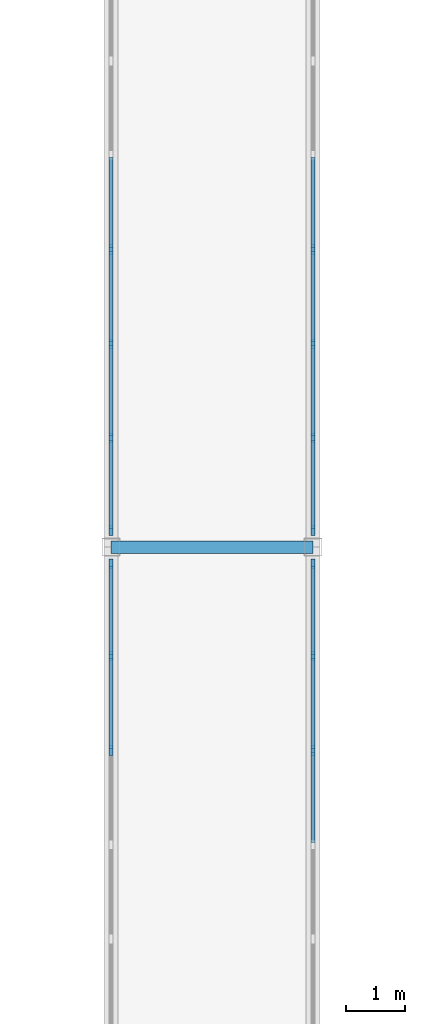
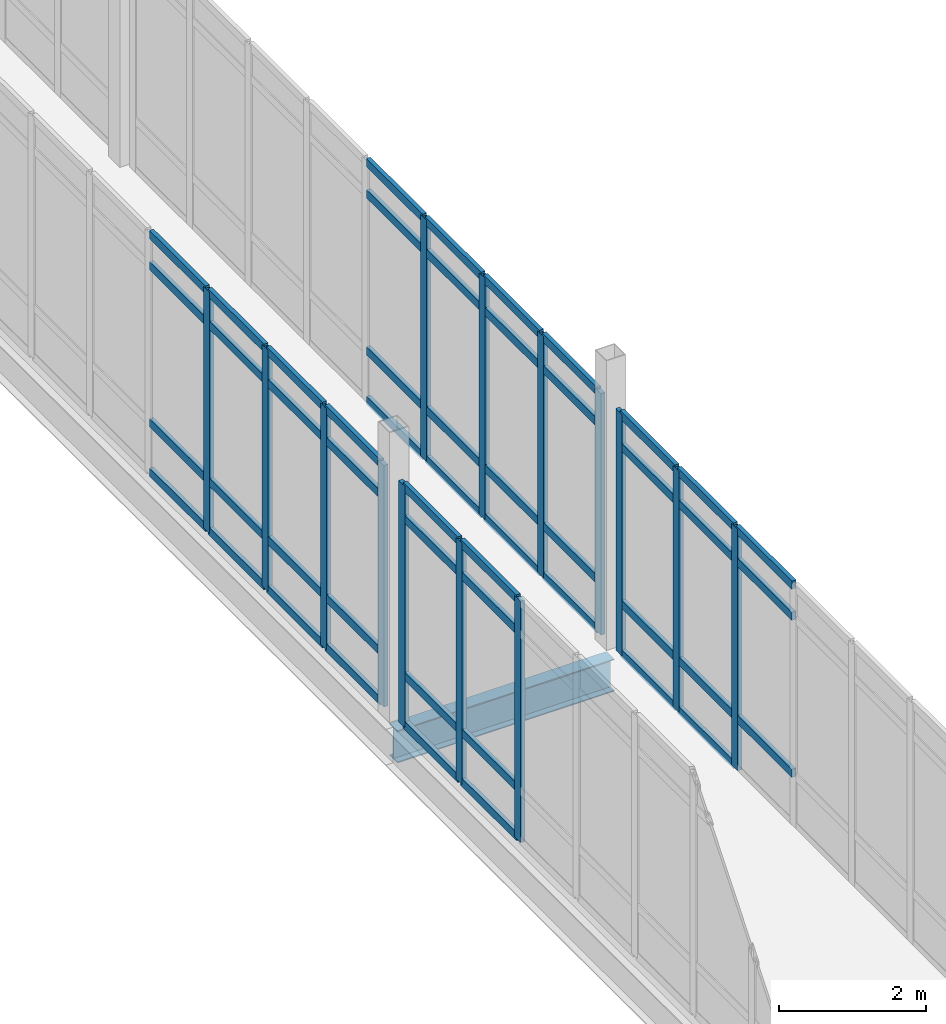
# One storey, part 55 of 125: 65 members, 1 beam, 4 elements without a shape of their own.
"""IFC4 building model written with IfcOpenShell, lengths in metres."""

from ifc_helpers import new_model, si_unit, direction, frame, origin, origin_2d, place, context, subcontext, project, spatial, rectangle, i_section, extrude, material, material_profile, profile_set, type_object, element, aggregate, save


model = new_model("IFC4")

# Units and contexts
model_context = context("Model", 3, precision=1e-05, world=origin(), true_north=direction((0.0, 1.0)))
body_context = subcontext(model_context, "Body", "Model", "MODEL_VIEW")
ifc_project = project(units=[si_unit("LENGTHUNIT", "METRE"), si_unit("AREAUNIT", "SQUARE_METRE"), si_unit("VOLUMEUNIT", "CUBIC_METRE"), si_unit("PLANEANGLEUNIT", "RADIAN"), si_unit("MASSUNIT", "GRAM", prefix="KILO")], contexts=[model_context])

# Site, building, storey
site_placement = place(None, origin())
site = spatial("IfcSite", under=ifc_project, at=site_placement, CompositionType="ELEMENT")
building_placement = place(site_placement, origin())
building = spatial("IfcBuilding", under=site, at=building_placement, Name="Dornvale Research Institute", CompositionType="ELEMENT")
storey_placement = place(building_placement, frame((0.0, 0.0, 5.39990234375)))
storey = spatial("IfcBuildingStorey", under=building, at=storey_placement, Name="L01", CompositionType="ELEMENT", Elevation=5.39990234375)

# Beam
ifc_material_1 = material(Name="Steel ASTM A992 Grade 50", Category="steel")
ifc_material_profile_1 = material_profile(ifc_material_1, i_section(OverallWidth=0.2099609375, OverallDepth=0.535888671875, WebThickness=0.010986328125, FlangeThickness=0.017333984375, at=origin_2d()), Name="W21X68")
ifc_profile_set_1 = profile_set([ifc_material_profile_1], Name="Steel ASTM A992 Grade 50")
beam_type = type_object("IfcBeamType", Name="Beam_Steel_W21X68_Ext", PredefinedType="BEAM", material=ifc_profile_set_1)
beam_placement = place(storey_placement, frame((140.199951171875, 66.0, -0.48779296875), z_axis=(1.0, 0.0, 0.0), x_axis=(0.0, 1.0, 0.0)))
element("IfcBeam", 1, at=beam_placement, inside=storey, type_object=beam_type, Name="L01 BR-7 portal cap beam #2026", PredefinedType="BEAM", context=body_context, shape_type="SweptSolid", body=[
    extrude(i_section(OverallWidth=0.2099609375, OverallDepth=0.535888671875, WebThickness=0.010986328125, FlangeThickness=0.017333984375, at=origin_2d()), origin(), (0.0, 0.0, 1.0), 3.400146484375),
])

# Curtain wall, members
ifc_material_2 = material(Name="Low-E Argon Double Insulating Glazing Unit", Category="glass")
curtain_wall_type = type_object("IfcCurtainWallType", Name="UnitisedCurtainWall_V2_12700x4000", PredefinedType="USERDEFINED", material=ifc_material_2)
curtain_wall_1_placement = place(storey_placement, origin())
curtain_wall_1 = element("IfcCurtainWall", 2, at=curtain_wall_1_placement, inside=storey, type_object=curtain_wall_type, Name="L01 V2 unitised curtain wall CW-42 #235", ObjectType="UNITISED CURTAIN WALL", PredefinedType="USERDEFINED")
ifc_material_3 = material(Name="Anodized Aluminum AA 6063-T6 Thermally Broken Frame", Category="aluminium")
ifc_material_profile_2 = material_profile(ifc_material_3, rectangle(XDim=0.06494140625, YDim=0.1650390625, at=origin_2d()), Name="ALU MULLION 65x165")
ifc_profile_set_2 = profile_set([ifc_material_profile_2], Name="Anodized Aluminum AA 6063-T6 Thermally Broken Frame")
member_type_1 = type_object("IfcMemberType", Name="Mullion_Atrium_65x165", PredefinedType="MULLION", material=ifc_profile_set_2)
member_1_placement = place(storey_placement, frame((140.199951171875, 62.574951171875, 0.0), z_axis=(0.0, 0.0, 1.0), x_axis=(-1.0, 0.0, 0.0)))
member_1 = element("IfcMember", 3, at=member_1_placement, type_object=member_type_1, Name="CW-42 mullion 7", PredefinedType="MULLION", context=body_context, shape_type="SweptSolid", body=[
    extrude(rectangle(XDim=0.06494140625, YDim=0.1650390625, at=origin_2d()), origin(), (0.0, 0.0, 1.0), 4.0),
])
member_2_placement = place(storey_placement, frame((140.199951171875, 64.16259765625, 0.0), z_axis=(0.0, 0.0, 1.0), x_axis=(-1.0, 0.0, 0.0)))
member_2 = element("IfcMember", 4, at=member_2_placement, type_object=member_type_1, Name="CW-42 mullion 8", PredefinedType="MULLION", context=body_context, shape_type="SweptSolid", body=[
    extrude(rectangle(XDim=0.06494140625, YDim=0.1650390625, at=origin_2d()), origin(), (0.0, 0.0, 1.0), 4.0),
])
member_3_placement = place(storey_placement, frame((140.199951171875, 65.717529296875, 0.0), z_axis=(0.0, 0.0, 1.0), x_axis=(-1.0, 0.0, 0.0)))
member_3 = element("IfcMember", 5, at=member_3_placement, type_object=member_type_1, Name="CW-42 mullion 9", PredefinedType="MULLION", context=body_context, shape_type="SweptSolid", body=[
    extrude(rectangle(XDim=0.06494140625, YDim=0.1650390625, at=origin_2d()), origin(), (0.0, 0.0, 1.0), 4.0),
])

curtain_wall_2_placement = place(storey_placement, origin())
curtain_wall_2 = element("IfcCurtainWall", 6, at=curtain_wall_2_placement, inside=storey, type_object=curtain_wall_type, Name="L01 V2 unitised curtain wall CW-42 #236", ObjectType="UNITISED CURTAIN WALL", PredefinedType="USERDEFINED")
member_4_placement = place(storey_placement, frame((143.60009765625, 65.717529296875, 0.0), z_axis=(0.0, 0.0, 1.0), x_axis=(1.0, 0.0, 0.0)))
member_4 = element("IfcMember", 7, at=member_4_placement, type_object=member_type_1, Name="CW-42 mullion 1", PredefinedType="MULLION", context=body_context, shape_type="SweptSolid", body=[
    extrude(rectangle(XDim=0.06494140625, YDim=0.1650390625, at=origin_2d()), origin(), (0.0, 0.0, 1.0), 4.0),
])
member_5_placement = place(storey_placement, frame((143.60009765625, 64.16259765625, 0.0), z_axis=(0.0, 0.0, 1.0), x_axis=(1.0, 0.0, 0.0)))
member_5 = element("IfcMember", 8, at=member_5_placement, type_object=member_type_1, Name="CW-42 mullion 2", PredefinedType="MULLION", context=body_context, shape_type="SweptSolid", body=[
    extrude(rectangle(XDim=0.06494140625, YDim=0.1650390625, at=origin_2d()), origin(), (0.0, 0.0, 1.0), 4.0),
])
member_6_placement = place(storey_placement, frame((143.60009765625, 62.574951171875, 0.0), z_axis=(0.0, 0.0, 1.0), x_axis=(1.0, 0.0, 0.0)))
member_6 = element("IfcMember", 9, at=member_6_placement, type_object=member_type_1, Name="CW-42 mullion 3", PredefinedType="MULLION", context=body_context, shape_type="SweptSolid", body=[
    extrude(rectangle(XDim=0.06494140625, YDim=0.1650390625, at=origin_2d()), origin(), (0.0, 0.0, 1.0), 4.0),
])

curtain_wall_3_placement = place(storey_placement, origin())
curtain_wall_3 = element("IfcCurtainWall", 10, at=curtain_wall_3_placement, inside=storey, type_object=curtain_wall_type, Name="L01 V2 unitised curtain wall CW-42 #237", ObjectType="UNITISED CURTAIN WALL", PredefinedType="USERDEFINED")
member_7_placement = place(storey_placement, frame((140.199951171875, 66.282470703125, 0.0), z_axis=(0.0, 0.0, 1.0), x_axis=(-1.0, 0.0, 0.0)))
member_7 = element("IfcMember", 11, at=member_7_placement, type_object=member_type_1, Name="CW-42 mullion 1", PredefinedType="MULLION", context=body_context, shape_type="SweptSolid", body=[
    extrude(rectangle(XDim=0.06494140625, YDim=0.1650390625, at=origin_2d()), origin(), (0.0, 0.0, 1.0), 4.0),
])
member_8_placement = place(storey_placement, frame((140.199951171875, 67.83740234375, 0.0), z_axis=(0.0, 0.0, 1.0), x_axis=(-1.0, 0.0, 0.0)))
member_8 = element("IfcMember", 12, at=member_8_placement, type_object=member_type_1, Name="CW-42 mullion 2", PredefinedType="MULLION", context=body_context, shape_type="SweptSolid", body=[
    extrude(rectangle(XDim=0.06494140625, YDim=0.1650390625, at=origin_2d()), origin(), (0.0, 0.0, 1.0), 4.0),
])
member_9_placement = place(storey_placement, frame((140.199951171875, 69.425048828125, 0.0), z_axis=(0.0, 0.0, 1.0), x_axis=(-1.0, 0.0, 0.0)))
member_9 = element("IfcMember", 13, at=member_9_placement, type_object=member_type_1, Name="CW-42 mullion 3", PredefinedType="MULLION", context=body_context, shape_type="SweptSolid", body=[
    extrude(rectangle(XDim=0.06494140625, YDim=0.1650390625, at=origin_2d()), origin(), (0.0, 0.0, 1.0), 4.0),
])
member_10_placement = place(storey_placement, frame((140.199951171875, 71.012451171875, 0.0), z_axis=(0.0, 0.0, 1.0), x_axis=(-1.0, 0.0, 0.0)))
member_10 = element("IfcMember", 14, at=member_10_placement, type_object=member_type_1, Name="CW-42 mullion 4", PredefinedType="MULLION", context=body_context, shape_type="SweptSolid", body=[
    extrude(rectangle(XDim=0.06494140625, YDim=0.1650390625, at=origin_2d()), origin(), (0.0, 0.0, 1.0), 4.0),
])

curtain_wall_4_placement = place(storey_placement, origin())
curtain_wall_4 = element("IfcCurtainWall", 15, at=curtain_wall_4_placement, inside=storey, type_object=curtain_wall_type, Name="L01 V2 unitised curtain wall CW-42 #238", ObjectType="UNITISED CURTAIN WALL", PredefinedType="USERDEFINED")
member_11_placement = place(storey_placement, frame((143.60009765625, 71.012451171875, 0.0), z_axis=(0.0, 0.0, 1.0), x_axis=(1.0, 0.0, 0.0)))
member_11 = element("IfcMember", 16, at=member_11_placement, type_object=member_type_1, Name="CW-42 mullion 6", PredefinedType="MULLION", context=body_context, shape_type="SweptSolid", body=[
    extrude(rectangle(XDim=0.06494140625, YDim=0.1650390625, at=origin_2d()), origin(), (0.0, 0.0, 1.0), 4.0),
])
member_12_placement = place(storey_placement, frame((143.60009765625, 69.425048828125, 0.0), z_axis=(0.0, 0.0, 1.0), x_axis=(1.0, 0.0, 0.0)))
member_12 = element("IfcMember", 17, at=member_12_placement, type_object=member_type_1, Name="CW-42 mullion 7", PredefinedType="MULLION", context=body_context, shape_type="SweptSolid", body=[
    extrude(rectangle(XDim=0.06494140625, YDim=0.1650390625, at=origin_2d()), origin(), (0.0, 0.0, 1.0), 4.0),
])
member_13_placement = place(storey_placement, frame((143.60009765625, 67.83740234375, 0.0), z_axis=(0.0, 0.0, 1.0), x_axis=(1.0, 0.0, 0.0)))
member_13 = element("IfcMember", 18, at=member_13_placement, type_object=member_type_1, Name="CW-42 mullion 8", PredefinedType="MULLION", context=body_context, shape_type="SweptSolid", body=[
    extrude(rectangle(XDim=0.06494140625, YDim=0.1650390625, at=origin_2d()), origin(), (0.0, 0.0, 1.0), 4.0),
])
member_14_placement = place(storey_placement, frame((143.60009765625, 66.282470703125, 0.0), z_axis=(0.0, 0.0, 1.0), x_axis=(1.0, 0.0, 0.0)))
member_14 = element("IfcMember", 19, at=member_14_placement, type_object=member_type_1, Name="CW-42 mullion 9", PredefinedType="MULLION", context=body_context, shape_type="SweptSolid", body=[
    extrude(rectangle(XDim=0.06494140625, YDim=0.1650390625, at=origin_2d()), origin(), (0.0, 0.0, 1.0), 4.0),
])

# Member
ifc_material_4 = material(Name="Anodized Aluminum AA 6063-T6 Thermally Broken Frame", Category="aluminium")
ifc_material_profile_3 = material_profile(ifc_material_4, rectangle(XDim=0.06494140625, YDim=0.135009765625, at=origin_2d()), Name="ALU TRANSOM 65x135")
ifc_profile_set_3 = profile_set([ifc_material_profile_3], Name="Anodized Aluminum AA 6063-T6 Thermally Broken Frame")
member_type_2 = type_object("IfcMemberType", Name="Transom_CW_65x135", PredefinedType="USERDEFINED", material=ifc_profile_set_3)
member_15_placement = place(storey_placement, frame((140.199951171875, 62.607421875, 0.03271484375), z_axis=(0.0, 1.0, 0.0), x_axis=(-1.0, 0.0, 0.0)))
member_15 = element("IfcMember", 20, at=member_15_placement, type_object=member_type_2, Name="CW-42 transom 7.1", ObjectType="TRANSOM", PredefinedType="USERDEFINED", context=body_context, shape_type="SweptSolid", body=[
    extrude(rectangle(XDim=0.06494140625, YDim=0.135009765625, at=origin_2d()), origin(), (0.0, 0.0, 1.0), 1.5224609375),
])

member_16_placement = place(storey_placement, frame((140.199951171875, 62.607421875, 0.85009765625), z_axis=(0.0, 1.0, 0.0), x_axis=(-1.0, 0.0, 0.0)))
member_16 = element("IfcMember", 21, at=member_16_placement, type_object=member_type_2, Name="CW-42 transom 7.2", ObjectType="TRANSOM", PredefinedType="USERDEFINED", context=body_context, shape_type="SweptSolid", body=[
    extrude(rectangle(XDim=0.06494140625, YDim=0.135009765625, at=origin_2d()), origin(), (0.0, 0.0, 1.0), 1.5224609375),
])

member_17_placement = place(storey_placement, frame((140.199951171875, 62.607421875, 3.4501953125), z_axis=(0.0, 1.0, 0.0), x_axis=(-1.0, 0.0, 0.0)))
member_17 = element("IfcMember", 22, at=member_17_placement, type_object=member_type_2, Name="CW-42 transom 7.3", ObjectType="TRANSOM", PredefinedType="USERDEFINED", context=body_context, shape_type="SweptSolid", body=[
    extrude(rectangle(XDim=0.06494140625, YDim=0.135009765625, at=origin_2d()), origin(), (0.0, 0.0, 1.0), 1.5224609375),
])

member_18_placement = place(storey_placement, frame((140.199951171875, 62.607421875, 3.967529296875), z_axis=(0.0, 1.0, 0.0), x_axis=(-1.0, 0.0, 0.0)))
member_18 = element("IfcMember", 23, at=member_18_placement, type_object=member_type_2, Name="CW-42 transom 7.4", ObjectType="TRANSOM", PredefinedType="USERDEFINED", context=body_context, shape_type="SweptSolid", body=[
    extrude(rectangle(XDim=0.06494140625, YDim=0.135009765625, at=origin_2d()), origin(), (0.0, 0.0, 1.0), 1.5224609375),
])

member_19_placement = place(storey_placement, frame((140.199951171875, 64.195068359375, 0.03271484375), z_axis=(0.0, 1.0, 0.0), x_axis=(-1.0, 0.0, 0.0)))
member_19 = element("IfcMember", 24, at=member_19_placement, type_object=member_type_2, Name="CW-42 transom 8.1", ObjectType="TRANSOM", PredefinedType="USERDEFINED", context=body_context, shape_type="SweptSolid", body=[
    extrude(rectangle(XDim=0.06494140625, YDim=0.135009765625, at=origin_2d()), origin(), (0.0, 0.0, 1.0), 1.489990234375),
])

member_20_placement = place(storey_placement, frame((140.199951171875, 64.195068359375, 0.85009765625), z_axis=(0.0, 1.0, 0.0), x_axis=(-1.0, 0.0, 0.0)))
member_20 = element("IfcMember", 25, at=member_20_placement, type_object=member_type_2, Name="CW-42 transom 8.2", ObjectType="TRANSOM", PredefinedType="USERDEFINED", context=body_context, shape_type="SweptSolid", body=[
    extrude(rectangle(XDim=0.06494140625, YDim=0.135009765625, at=origin_2d()), origin(), (0.0, 0.0, 1.0), 1.489990234375),
])

member_21_placement = place(storey_placement, frame((140.199951171875, 64.195068359375, 3.4501953125), z_axis=(0.0, 1.0, 0.0), x_axis=(-1.0, 0.0, 0.0)))
member_21 = element("IfcMember", 26, at=member_21_placement, type_object=member_type_2, Name="CW-42 transom 8.3", ObjectType="TRANSOM", PredefinedType="USERDEFINED", context=body_context, shape_type="SweptSolid", body=[
    extrude(rectangle(XDim=0.06494140625, YDim=0.135009765625, at=origin_2d()), origin(), (0.0, 0.0, 1.0), 1.489990234375),
])

member_22_placement = place(storey_placement, frame((140.199951171875, 64.195068359375, 3.967529296875), z_axis=(0.0, 1.0, 0.0), x_axis=(-1.0, 0.0, 0.0)))
member_22 = element("IfcMember", 27, at=member_22_placement, type_object=member_type_2, Name="CW-42 transom 8.4", ObjectType="TRANSOM", PredefinedType="USERDEFINED", context=body_context, shape_type="SweptSolid", body=[
    extrude(rectangle(XDim=0.06494140625, YDim=0.135009765625, at=origin_2d()), origin(), (0.0, 0.0, 1.0), 1.489990234375),
])

aggregate(curtain_wall_1, [member_1, member_2, member_3, member_15, member_16, member_17, member_18, member_19, member_20, member_21, member_22])

member_23_placement = place(storey_placement, frame((143.60009765625, 65.68505859375, 0.03271484375), z_axis=(0.0, -1.0, 0.0), x_axis=(1.0, 0.0, 0.0)))
member_23 = element("IfcMember", 28, at=member_23_placement, type_object=member_type_2, Name="CW-42 transom 1.1", ObjectType="TRANSOM", PredefinedType="USERDEFINED", context=body_context, shape_type="SweptSolid", body=[
    extrude(rectangle(XDim=0.06494140625, YDim=0.135009765625, at=origin_2d()), origin(), (0.0, 0.0, 1.0), 1.489990234375),
])

member_24_placement = place(storey_placement, frame((143.60009765625, 65.68505859375, 0.85009765625), z_axis=(0.0, -1.0, 0.0), x_axis=(1.0, 0.0, 0.0)))
member_24 = element("IfcMember", 29, at=member_24_placement, type_object=member_type_2, Name="CW-42 transom 1.2", ObjectType="TRANSOM", PredefinedType="USERDEFINED", context=body_context, shape_type="SweptSolid", body=[
    extrude(rectangle(XDim=0.06494140625, YDim=0.135009765625, at=origin_2d()), origin(), (0.0, 0.0, 1.0), 1.489990234375),
])

member_25_placement = place(storey_placement, frame((143.60009765625, 65.68505859375, 3.4501953125), z_axis=(0.0, -1.0, 0.0), x_axis=(1.0, 0.0, 0.0)))
member_25 = element("IfcMember", 30, at=member_25_placement, type_object=member_type_2, Name="CW-42 transom 1.3", ObjectType="TRANSOM", PredefinedType="USERDEFINED", context=body_context, shape_type="SweptSolid", body=[
    extrude(rectangle(XDim=0.06494140625, YDim=0.135009765625, at=origin_2d()), origin(), (0.0, 0.0, 1.0), 1.489990234375),
])

member_26_placement = place(storey_placement, frame((143.60009765625, 65.68505859375, 3.967529296875), z_axis=(0.0, -1.0, 0.0), x_axis=(1.0, 0.0, 0.0)))
member_26 = element("IfcMember", 31, at=member_26_placement, type_object=member_type_2, Name="CW-42 transom 1.4", ObjectType="TRANSOM", PredefinedType="USERDEFINED", context=body_context, shape_type="SweptSolid", body=[
    extrude(rectangle(XDim=0.06494140625, YDim=0.135009765625, at=origin_2d()), origin(), (0.0, 0.0, 1.0), 1.489990234375),
])

member_27_placement = place(storey_placement, frame((143.60009765625, 64.1298828125, 0.03271484375), z_axis=(0.0, -1.0, 0.0), x_axis=(1.0, 0.0, 0.0)))
member_27 = element("IfcMember", 32, at=member_27_placement, type_object=member_type_2, Name="CW-42 transom 2.1", ObjectType="TRANSOM", PredefinedType="USERDEFINED", context=body_context, shape_type="SweptSolid", body=[
    extrude(rectangle(XDim=0.06494140625, YDim=0.135009765625, at=origin_2d()), origin(), (0.0, 0.0, 1.0), 1.5224609375),
])

member_28_placement = place(storey_placement, frame((143.60009765625, 64.1298828125, 0.85009765625), z_axis=(0.0, -1.0, 0.0), x_axis=(1.0, 0.0, 0.0)))
member_28 = element("IfcMember", 33, at=member_28_placement, type_object=member_type_2, Name="CW-42 transom 2.2", ObjectType="TRANSOM", PredefinedType="USERDEFINED", context=body_context, shape_type="SweptSolid", body=[
    extrude(rectangle(XDim=0.06494140625, YDim=0.135009765625, at=origin_2d()), origin(), (0.0, 0.0, 1.0), 1.5224609375),
])

member_29_placement = place(storey_placement, frame((143.60009765625, 64.1298828125, 3.4501953125), z_axis=(0.0, -1.0, 0.0), x_axis=(1.0, 0.0, 0.0)))
member_29 = element("IfcMember", 34, at=member_29_placement, type_object=member_type_2, Name="CW-42 transom 2.3", ObjectType="TRANSOM", PredefinedType="USERDEFINED", context=body_context, shape_type="SweptSolid", body=[
    extrude(rectangle(XDim=0.06494140625, YDim=0.135009765625, at=origin_2d()), origin(), (0.0, 0.0, 1.0), 1.5224609375),
])

member_30_placement = place(storey_placement, frame((143.60009765625, 64.1298828125, 3.967529296875), z_axis=(0.0, -1.0, 0.0), x_axis=(1.0, 0.0, 0.0)))
member_30 = element("IfcMember", 35, at=member_30_placement, type_object=member_type_2, Name="CW-42 transom 2.4", ObjectType="TRANSOM", PredefinedType="USERDEFINED", context=body_context, shape_type="SweptSolid", body=[
    extrude(rectangle(XDim=0.06494140625, YDim=0.135009765625, at=origin_2d()), origin(), (0.0, 0.0, 1.0), 1.5224609375),
])

member_31_placement = place(storey_placement, frame((143.60009765625, 62.54248046875, 0.85009765625), z_axis=(0.0, -1.0, 0.0), x_axis=(1.0, 0.0, 0.0)))
member_31 = element("IfcMember", 36, at=member_31_placement, type_object=member_type_2, Name="CW-42 transom 3.2", ObjectType="TRANSOM", PredefinedType="USERDEFINED", context=body_context, shape_type="SweptSolid", body=[
    extrude(rectangle(XDim=0.06494140625, YDim=0.135009765625, at=origin_2d()), origin(), (0.0, 0.0, 1.0), 1.5224609375),
])

member_32_placement = place(storey_placement, frame((143.60009765625, 62.54248046875, 3.4501953125), z_axis=(0.0, -1.0, 0.0), x_axis=(1.0, 0.0, 0.0)))
member_32 = element("IfcMember", 37, at=member_32_placement, type_object=member_type_2, Name="CW-42 transom 3.3", ObjectType="TRANSOM", PredefinedType="USERDEFINED", context=body_context, shape_type="SweptSolid", body=[
    extrude(rectangle(XDim=0.06494140625, YDim=0.135009765625, at=origin_2d()), origin(), (0.0, 0.0, 1.0), 1.5224609375),
])

member_33_placement = place(storey_placement, frame((143.60009765625, 62.54248046875, 3.967529296875), z_axis=(0.0, -1.0, 0.0), x_axis=(1.0, 0.0, 0.0)))
member_33 = element("IfcMember", 38, at=member_33_placement, type_object=member_type_2, Name="CW-42 transom 3.4", ObjectType="TRANSOM", PredefinedType="USERDEFINED", context=body_context, shape_type="SweptSolid", body=[
    extrude(rectangle(XDim=0.06494140625, YDim=0.135009765625, at=origin_2d()), origin(), (0.0, 0.0, 1.0), 1.5224609375),
])

aggregate(curtain_wall_2, [member_4, member_5, member_6, member_23, member_24, member_25, member_26, member_27, member_28, member_29, member_30, member_31, member_32, member_33])

member_34_placement = place(storey_placement, frame((140.199951171875, 66.31494140625, 0.03271484375), z_axis=(0.0, 1.0, 0.0), x_axis=(-1.0, 0.0, 0.0)))
member_34 = element("IfcMember", 39, at=member_34_placement, type_object=member_type_2, Name="CW-42 transom 1.1", ObjectType="TRANSOM", PredefinedType="USERDEFINED", context=body_context, shape_type="SweptSolid", body=[
    extrude(rectangle(XDim=0.06494140625, YDim=0.135009765625, at=origin_2d()), origin(), (0.0, 0.0, 1.0), 1.489990234375),
])

member_35_placement = place(storey_placement, frame((140.199951171875, 66.31494140625, 0.85009765625), z_axis=(0.0, 1.0, 0.0), x_axis=(-1.0, 0.0, 0.0)))
member_35 = element("IfcMember", 40, at=member_35_placement, type_object=member_type_2, Name="CW-42 transom 1.2", ObjectType="TRANSOM", PredefinedType="USERDEFINED", context=body_context, shape_type="SweptSolid", body=[
    extrude(rectangle(XDim=0.06494140625, YDim=0.135009765625, at=origin_2d()), origin(), (0.0, 0.0, 1.0), 1.489990234375),
])

member_36_placement = place(storey_placement, frame((140.199951171875, 66.31494140625, 3.4501953125), z_axis=(0.0, 1.0, 0.0), x_axis=(-1.0, 0.0, 0.0)))
member_36 = element("IfcMember", 41, at=member_36_placement, type_object=member_type_2, Name="CW-42 transom 1.3", ObjectType="TRANSOM", PredefinedType="USERDEFINED", context=body_context, shape_type="SweptSolid", body=[
    extrude(rectangle(XDim=0.06494140625, YDim=0.135009765625, at=origin_2d()), origin(), (0.0, 0.0, 1.0), 1.489990234375),
])

member_37_placement = place(storey_placement, frame((140.199951171875, 66.31494140625, 3.967529296875), z_axis=(0.0, 1.0, 0.0), x_axis=(-1.0, 0.0, 0.0)))
member_37 = element("IfcMember", 42, at=member_37_placement, type_object=member_type_2, Name="CW-42 transom 1.4", ObjectType="TRANSOM", PredefinedType="USERDEFINED", context=body_context, shape_type="SweptSolid", body=[
    extrude(rectangle(XDim=0.06494140625, YDim=0.135009765625, at=origin_2d()), origin(), (0.0, 0.0, 1.0), 1.489990234375),
])

member_38_placement = place(storey_placement, frame((140.199951171875, 67.8701171875, 0.03271484375), z_axis=(0.0, 1.0, 0.0), x_axis=(-1.0, 0.0, 0.0)))
member_38 = element("IfcMember", 43, at=member_38_placement, type_object=member_type_2, Name="CW-42 transom 2.1", ObjectType="TRANSOM", PredefinedType="USERDEFINED", context=body_context, shape_type="SweptSolid", body=[
    extrude(rectangle(XDim=0.06494140625, YDim=0.135009765625, at=origin_2d()), origin(), (0.0, 0.0, 1.0), 1.5224609375),
])

member_39_placement = place(storey_placement, frame((140.199951171875, 67.8701171875, 0.85009765625), z_axis=(0.0, 1.0, 0.0), x_axis=(-1.0, 0.0, 0.0)))
member_39 = element("IfcMember", 44, at=member_39_placement, type_object=member_type_2, Name="CW-42 transom 2.2", ObjectType="TRANSOM", PredefinedType="USERDEFINED", context=body_context, shape_type="SweptSolid", body=[
    extrude(rectangle(XDim=0.06494140625, YDim=0.135009765625, at=origin_2d()), origin(), (0.0, 0.0, 1.0), 1.5224609375),
])

member_40_placement = place(storey_placement, frame((140.199951171875, 67.8701171875, 3.4501953125), z_axis=(0.0, 1.0, 0.0), x_axis=(-1.0, 0.0, 0.0)))
member_40 = element("IfcMember", 45, at=member_40_placement, type_object=member_type_2, Name="CW-42 transom 2.3", ObjectType="TRANSOM", PredefinedType="USERDEFINED", context=body_context, shape_type="SweptSolid", body=[
    extrude(rectangle(XDim=0.06494140625, YDim=0.135009765625, at=origin_2d()), origin(), (0.0, 0.0, 1.0), 1.5224609375),
])

member_41_placement = place(storey_placement, frame((140.199951171875, 67.8701171875, 3.967529296875), z_axis=(0.0, 1.0, 0.0), x_axis=(-1.0, 0.0, 0.0)))
member_41 = element("IfcMember", 46, at=member_41_placement, type_object=member_type_2, Name="CW-42 transom 2.4", ObjectType="TRANSOM", PredefinedType="USERDEFINED", context=body_context, shape_type="SweptSolid", body=[
    extrude(rectangle(XDim=0.06494140625, YDim=0.135009765625, at=origin_2d()), origin(), (0.0, 0.0, 1.0), 1.5224609375),
])

member_42_placement = place(storey_placement, frame((140.199951171875, 69.45751953125, 0.03271484375), z_axis=(0.0, 1.0, 0.0), x_axis=(-1.0, 0.0, 0.0)))
member_42 = element("IfcMember", 47, at=member_42_placement, type_object=member_type_2, Name="CW-42 transom 3.1", ObjectType="TRANSOM", PredefinedType="USERDEFINED", context=body_context, shape_type="SweptSolid", body=[
    extrude(rectangle(XDim=0.06494140625, YDim=0.135009765625, at=origin_2d()), origin(), (0.0, 0.0, 1.0), 1.5224609375),
])

member_43_placement = place(storey_placement, frame((140.199951171875, 69.45751953125, 0.85009765625), z_axis=(0.0, 1.0, 0.0), x_axis=(-1.0, 0.0, 0.0)))
member_43 = element("IfcMember", 48, at=member_43_placement, type_object=member_type_2, Name="CW-42 transom 3.2", ObjectType="TRANSOM", PredefinedType="USERDEFINED", context=body_context, shape_type="SweptSolid", body=[
    extrude(rectangle(XDim=0.06494140625, YDim=0.135009765625, at=origin_2d()), origin(), (0.0, 0.0, 1.0), 1.5224609375),
])

member_44_placement = place(storey_placement, frame((140.199951171875, 69.45751953125, 3.4501953125), z_axis=(0.0, 1.0, 0.0), x_axis=(-1.0, 0.0, 0.0)))
member_44 = element("IfcMember", 49, at=member_44_placement, type_object=member_type_2, Name="CW-42 transom 3.3", ObjectType="TRANSOM", PredefinedType="USERDEFINED", context=body_context, shape_type="SweptSolid", body=[
    extrude(rectangle(XDim=0.06494140625, YDim=0.135009765625, at=origin_2d()), origin(), (0.0, 0.0, 1.0), 1.5224609375),
])

member_45_placement = place(storey_placement, frame((140.199951171875, 69.45751953125, 3.967529296875), z_axis=(0.0, 1.0, 0.0), x_axis=(-1.0, 0.0, 0.0)))
member_45 = element("IfcMember", 50, at=member_45_placement, type_object=member_type_2, Name="CW-42 transom 3.4", ObjectType="TRANSOM", PredefinedType="USERDEFINED", context=body_context, shape_type="SweptSolid", body=[
    extrude(rectangle(XDim=0.06494140625, YDim=0.135009765625, at=origin_2d()), origin(), (0.0, 0.0, 1.0), 1.5224609375),
])

member_46_placement = place(storey_placement, frame((140.199951171875, 71.044921875, 0.03271484375), z_axis=(0.0, 1.0, 0.0), x_axis=(-1.0, 0.0, 0.0)))
member_46 = element("IfcMember", 51, at=member_46_placement, type_object=member_type_2, Name="CW-42 transom 4.1", ObjectType="TRANSOM", PredefinedType="USERDEFINED", context=body_context, shape_type="SweptSolid", body=[
    extrude(rectangle(XDim=0.06494140625, YDim=0.135009765625, at=origin_2d()), origin(), (0.0, 0.0, 1.0), 1.5224609375),
])

member_47_placement = place(storey_placement, frame((140.199951171875, 71.044921875, 0.85009765625), z_axis=(0.0, 1.0, 0.0), x_axis=(-1.0, 0.0, 0.0)))
member_47 = element("IfcMember", 52, at=member_47_placement, type_object=member_type_2, Name="CW-42 transom 4.2", ObjectType="TRANSOM", PredefinedType="USERDEFINED", context=body_context, shape_type="SweptSolid", body=[
    extrude(rectangle(XDim=0.06494140625, YDim=0.135009765625, at=origin_2d()), origin(), (0.0, 0.0, 1.0), 1.5224609375),
])

member_48_placement = place(storey_placement, frame((140.199951171875, 71.044921875, 3.4501953125), z_axis=(0.0, 1.0, 0.0), x_axis=(-1.0, 0.0, 0.0)))
member_48 = element("IfcMember", 53, at=member_48_placement, type_object=member_type_2, Name="CW-42 transom 4.3", ObjectType="TRANSOM", PredefinedType="USERDEFINED", context=body_context, shape_type="SweptSolid", body=[
    extrude(rectangle(XDim=0.06494140625, YDim=0.135009765625, at=origin_2d()), origin(), (0.0, 0.0, 1.0), 1.5224609375),
])

member_49_placement = place(storey_placement, frame((140.199951171875, 71.044921875, 3.967529296875), z_axis=(0.0, 1.0, 0.0), x_axis=(-1.0, 0.0, 0.0)))
member_49 = element("IfcMember", 54, at=member_49_placement, type_object=member_type_2, Name="CW-42 transom 4.4", ObjectType="TRANSOM", PredefinedType="USERDEFINED", context=body_context, shape_type="SweptSolid", body=[
    extrude(rectangle(XDim=0.06494140625, YDim=0.135009765625, at=origin_2d()), origin(), (0.0, 0.0, 1.0), 1.5224609375),
])

aggregate(curtain_wall_3, [member_7, member_8, member_9, member_10, member_34, member_35, member_36, member_37, member_38, member_39, member_40, member_41, member_42, member_43, member_44, member_45, member_46, member_47, member_48, member_49])

member_50_placement = place(storey_placement, frame((143.60009765625, 72.5673828125, 0.03271484375), z_axis=(0.0, -1.0, 0.0), x_axis=(1.0, 0.0, 0.0)))
member_50 = element("IfcMember", 55, at=member_50_placement, type_object=member_type_2, Name="CW-42 transom 5.1", ObjectType="TRANSOM", PredefinedType="USERDEFINED", context=body_context, shape_type="SweptSolid", body=[
    extrude(rectangle(XDim=0.06494140625, YDim=0.135009765625, at=origin_2d()), origin(), (0.0, 0.0, 1.0), 1.5224609375),
])

member_51_placement = place(storey_placement, frame((143.60009765625, 72.5673828125, 0.85009765625), z_axis=(0.0, -1.0, 0.0), x_axis=(1.0, 0.0, 0.0)))
member_51 = element("IfcMember", 56, at=member_51_placement, type_object=member_type_2, Name="CW-42 transom 5.2", ObjectType="TRANSOM", PredefinedType="USERDEFINED", context=body_context, shape_type="SweptSolid", body=[
    extrude(rectangle(XDim=0.06494140625, YDim=0.135009765625, at=origin_2d()), origin(), (0.0, 0.0, 1.0), 1.5224609375),
])

member_52_placement = place(storey_placement, frame((143.60009765625, 72.5673828125, 3.4501953125), z_axis=(0.0, -1.0, 0.0), x_axis=(1.0, 0.0, 0.0)))
member_52 = element("IfcMember", 57, at=member_52_placement, type_object=member_type_2, Name="CW-42 transom 5.3", ObjectType="TRANSOM", PredefinedType="USERDEFINED", context=body_context, shape_type="SweptSolid", body=[
    extrude(rectangle(XDim=0.06494140625, YDim=0.135009765625, at=origin_2d()), origin(), (0.0, 0.0, 1.0), 1.5224609375),
])

member_53_placement = place(storey_placement, frame((143.60009765625, 72.5673828125, 3.967529296875), z_axis=(0.0, -1.0, 0.0), x_axis=(1.0, 0.0, 0.0)))
member_53 = element("IfcMember", 58, at=member_53_placement, type_object=member_type_2, Name="CW-42 transom 5.4", ObjectType="TRANSOM", PredefinedType="USERDEFINED", context=body_context, shape_type="SweptSolid", body=[
    extrude(rectangle(XDim=0.06494140625, YDim=0.135009765625, at=origin_2d()), origin(), (0.0, 0.0, 1.0), 1.5224609375),
])

member_54_placement = place(storey_placement, frame((143.60009765625, 70.97998046875, 0.03271484375), z_axis=(0.0, -1.0, 0.0), x_axis=(1.0, 0.0, 0.0)))
member_54 = element("IfcMember", 59, at=member_54_placement, type_object=member_type_2, Name="CW-42 transom 6.1", ObjectType="TRANSOM", PredefinedType="USERDEFINED", context=body_context, shape_type="SweptSolid", body=[
    extrude(rectangle(XDim=0.06494140625, YDim=0.135009765625, at=origin_2d()), origin(), (0.0, 0.0, 1.0), 1.5224609375),
])

member_55_placement = place(storey_placement, frame((143.60009765625, 70.97998046875, 0.85009765625), z_axis=(0.0, -1.0, 0.0), x_axis=(1.0, 0.0, 0.0)))
member_55 = element("IfcMember", 60, at=member_55_placement, type_object=member_type_2, Name="CW-42 transom 6.2", ObjectType="TRANSOM", PredefinedType="USERDEFINED", context=body_context, shape_type="SweptSolid", body=[
    extrude(rectangle(XDim=0.06494140625, YDim=0.135009765625, at=origin_2d()), origin(), (0.0, 0.0, 1.0), 1.5224609375),
])

member_56_placement = place(storey_placement, frame((143.60009765625, 70.97998046875, 3.4501953125), z_axis=(0.0, -1.0, 0.0), x_axis=(1.0, 0.0, 0.0)))
member_56 = element("IfcMember", 61, at=member_56_placement, type_object=member_type_2, Name="CW-42 transom 6.3", ObjectType="TRANSOM", PredefinedType="USERDEFINED", context=body_context, shape_type="SweptSolid", body=[
    extrude(rectangle(XDim=0.06494140625, YDim=0.135009765625, at=origin_2d()), origin(), (0.0, 0.0, 1.0), 1.5224609375),
])

member_57_placement = place(storey_placement, frame((143.60009765625, 70.97998046875, 3.967529296875), z_axis=(0.0, -1.0, 0.0), x_axis=(1.0, 0.0, 0.0)))
member_57 = element("IfcMember", 62, at=member_57_placement, type_object=member_type_2, Name="CW-42 transom 6.4", ObjectType="TRANSOM", PredefinedType="USERDEFINED", context=body_context, shape_type="SweptSolid", body=[
    extrude(rectangle(XDim=0.06494140625, YDim=0.135009765625, at=origin_2d()), origin(), (0.0, 0.0, 1.0), 1.5224609375),
])

member_58_placement = place(storey_placement, frame((143.60009765625, 69.392578125, 0.03271484375), z_axis=(0.0, -1.0, 0.0), x_axis=(1.0, 0.0, 0.0)))
member_58 = element("IfcMember", 63, at=member_58_placement, type_object=member_type_2, Name="CW-42 transom 7.1", ObjectType="TRANSOM", PredefinedType="USERDEFINED", context=body_context, shape_type="SweptSolid", body=[
    extrude(rectangle(XDim=0.06494140625, YDim=0.135009765625, at=origin_2d()), origin(), (0.0, 0.0, 1.0), 1.5224609375),
])

member_59_placement = place(storey_placement, frame((143.60009765625, 69.392578125, 0.85009765625), z_axis=(0.0, -1.0, 0.0), x_axis=(1.0, 0.0, 0.0)))
member_59 = element("IfcMember", 64, at=member_59_placement, type_object=member_type_2, Name="CW-42 transom 7.2", ObjectType="TRANSOM", PredefinedType="USERDEFINED", context=body_context, shape_type="SweptSolid", body=[
    extrude(rectangle(XDim=0.06494140625, YDim=0.135009765625, at=origin_2d()), origin(), (0.0, 0.0, 1.0), 1.5224609375),
])

member_60_placement = place(storey_placement, frame((143.60009765625, 69.392578125, 3.4501953125), z_axis=(0.0, -1.0, 0.0), x_axis=(1.0, 0.0, 0.0)))
member_60 = element("IfcMember", 65, at=member_60_placement, type_object=member_type_2, Name="CW-42 transom 7.3", ObjectType="TRANSOM", PredefinedType="USERDEFINED", context=body_context, shape_type="SweptSolid", body=[
    extrude(rectangle(XDim=0.06494140625, YDim=0.135009765625, at=origin_2d()), origin(), (0.0, 0.0, 1.0), 1.5224609375),
])

member_61_placement = place(storey_placement, frame((143.60009765625, 69.392578125, 3.967529296875), z_axis=(0.0, -1.0, 0.0), x_axis=(1.0, 0.0, 0.0)))
member_61 = element("IfcMember", 66, at=member_61_placement, type_object=member_type_2, Name="CW-42 transom 7.4", ObjectType="TRANSOM", PredefinedType="USERDEFINED", context=body_context, shape_type="SweptSolid", body=[
    extrude(rectangle(XDim=0.06494140625, YDim=0.135009765625, at=origin_2d()), origin(), (0.0, 0.0, 1.0), 1.5224609375),
])

member_62_placement = place(storey_placement, frame((143.60009765625, 67.804931640625, 0.03271484375), z_axis=(0.0, -1.0, 0.0), x_axis=(1.0, 0.0, 0.0)))
member_62 = element("IfcMember", 67, at=member_62_placement, type_object=member_type_2, Name="CW-42 transom 8.1", ObjectType="TRANSOM", PredefinedType="USERDEFINED", context=body_context, shape_type="SweptSolid", body=[
    extrude(rectangle(XDim=0.06494140625, YDim=0.135009765625, at=origin_2d()), origin(), (0.0, 0.0, 1.0), 1.489990234375),
])

member_63_placement = place(storey_placement, frame((143.60009765625, 67.804931640625, 0.85009765625), z_axis=(0.0, -1.0, 0.0), x_axis=(1.0, 0.0, 0.0)))
member_63 = element("IfcMember", 68, at=member_63_placement, type_object=member_type_2, Name="CW-42 transom 8.2", ObjectType="TRANSOM", PredefinedType="USERDEFINED", context=body_context, shape_type="SweptSolid", body=[
    extrude(rectangle(XDim=0.06494140625, YDim=0.135009765625, at=origin_2d()), origin(), (0.0, 0.0, 1.0), 1.489990234375),
])

member_64_placement = place(storey_placement, frame((143.60009765625, 67.804931640625, 3.4501953125), z_axis=(0.0, -1.0, 0.0), x_axis=(1.0, 0.0, 0.0)))
member_64 = element("IfcMember", 69, at=member_64_placement, type_object=member_type_2, Name="CW-42 transom 8.3", ObjectType="TRANSOM", PredefinedType="USERDEFINED", context=body_context, shape_type="SweptSolid", body=[
    extrude(rectangle(XDim=0.06494140625, YDim=0.135009765625, at=origin_2d()), origin(), (0.0, 0.0, 1.0), 1.489990234375),
])

member_65_placement = place(storey_placement, frame((143.60009765625, 67.804931640625, 3.967529296875), z_axis=(0.0, -1.0, 0.0), x_axis=(1.0, 0.0, 0.0)))
member_65 = element("IfcMember", 70, at=member_65_placement, type_object=member_type_2, Name="CW-42 transom 8.4", ObjectType="TRANSOM", PredefinedType="USERDEFINED", context=body_context, shape_type="SweptSolid", body=[
    extrude(rectangle(XDim=0.06494140625, YDim=0.135009765625, at=origin_2d()), origin(), (0.0, 0.0, 1.0), 1.489990234375),
])

aggregate(curtain_wall_4, [member_11, member_12, member_13, member_14, member_50, member_51, member_52, member_53, member_54, member_55, member_56, member_57, member_58, member_59, member_60, member_61, member_62, member_63, member_64, member_65])

save(model, "model.ifc")
